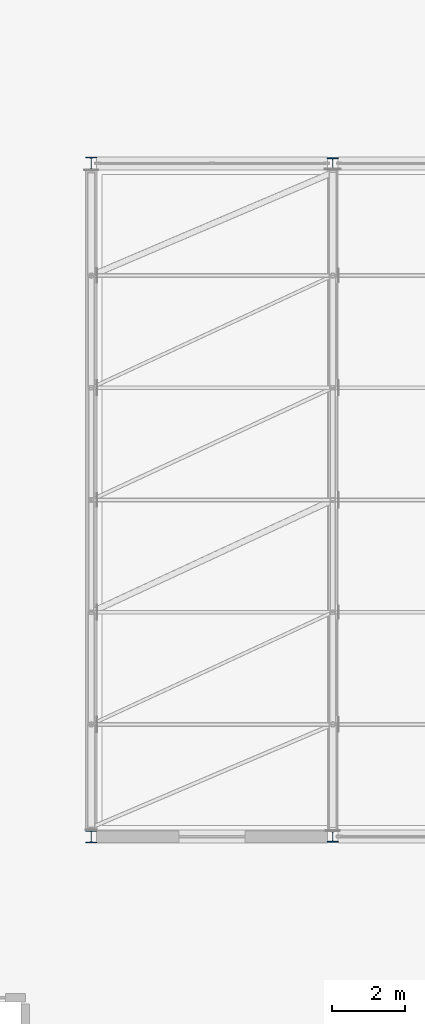
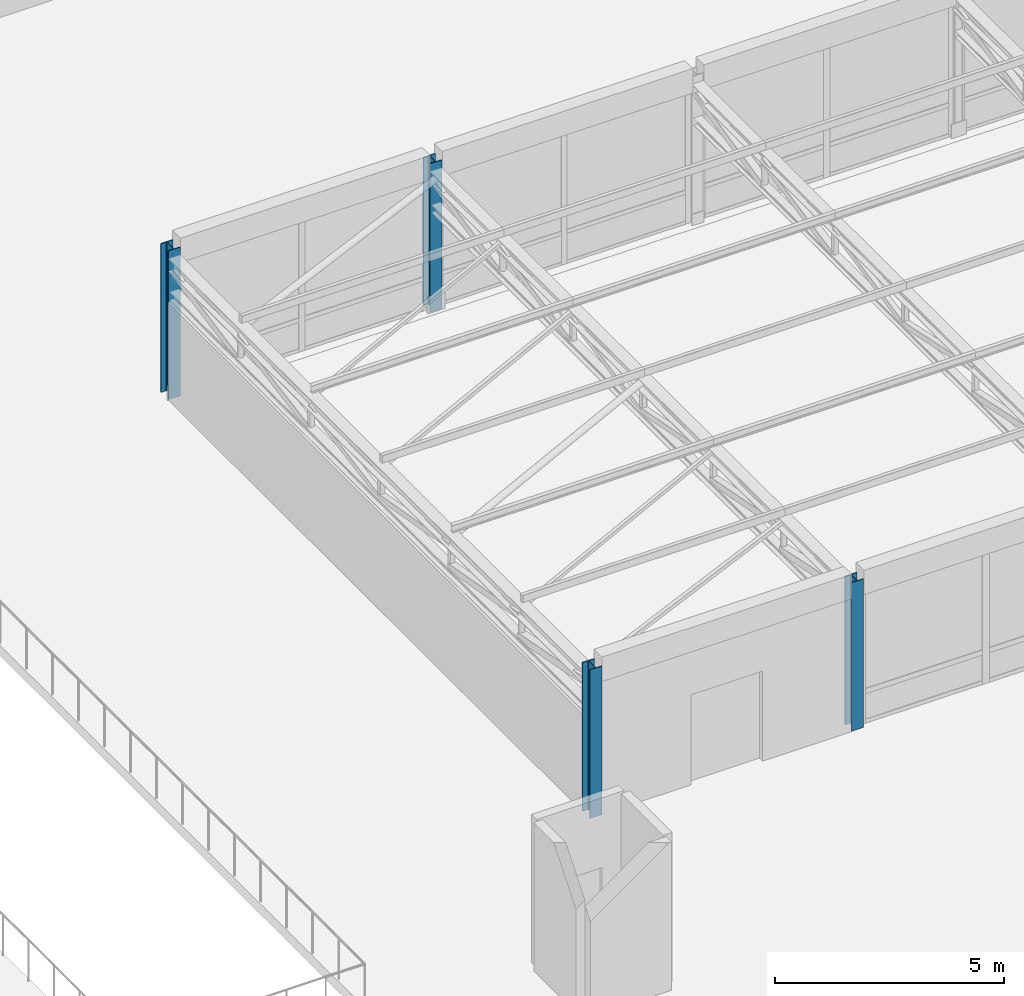
# One storey, part 2 of 92: 4 columns.
"""IFC4 building model written with IfcOpenShell, lengths in metres."""

from ifc_helpers import new_model, si_unit, direction, frame, origin, origin_2d, place, context, subcontext, project, spatial, i_section, extrude, material, material_profile, profile_set, type_object, element, save


model = new_model("IFC4")

# Units and contexts
model_context = context("Model", 3, precision=1e-05, world=origin(), true_north=direction((0.0, 1.0)))
body_context = subcontext(model_context, "Body", "Model", "MODEL_VIEW")
ifc_project = project(units=[si_unit("LENGTHUNIT", "METRE"), si_unit("AREAUNIT", "SQUARE_METRE"), si_unit("VOLUMEUNIT", "CUBIC_METRE"), si_unit("PLANEANGLEUNIT", "RADIAN"), si_unit("MASSUNIT", "GRAM", prefix="KILO")], contexts=[model_context])

# Site, building, storey
site_placement = place(None, origin())
site = spatial("IfcSite", under=ifc_project, at=site_placement, CompositionType="ELEMENT")
building_placement = place(site_placement, origin())
building = spatial("IfcBuilding", under=site, at=building_placement, Name="Kernevlak Ridge Housing Community", CompositionType="ELEMENT")
storey_placement = place(building_placement, frame((0.0, 0.0, 4.199951171875)))
storey = spatial("IfcBuildingStorey", under=building, at=storey_placement, Name="L01", CompositionType="ELEMENT", Elevation=4.199951171875)

# Columns
ifc_material = material(Name="Steel S355", Category="steel")
ifc_material_profile_1 = material_profile(ifc_material, i_section(OverallWidth=0.300048828125, OverallDepth=0.340087890625, WebThickness=0.011962890625, FlangeThickness=0.021484375, FilletRadius=0.027099609375, at=origin_2d()), Name="HEB 340")
ifc_profile_set_1 = profile_set([ifc_material_profile_1], Name="Steel S355")
column_type_1 = type_object("IfcColumnType", Name="SC-01", PredefinedType="COLUMN", material=ifc_profile_set_1)
for number, where, z_axis, x_axis, name in (
    (1, (64.199951171875, 49.800048828125, 0.0), (0.0, 0.0, 1.0), (1.0, 0.0, 0.0), "Column SC-01 COL-HALL-L01-0-0"),
    (2, (64.199951171875, 68.199951171875, 0.0), (0.0, 0.0, 1.0), (1.0, 0.0, 0.0), "Column SC-01 COL-HALL-L01-0-1"),
):
    element("IfcColumn", number, at=place(storey_placement, frame(where, z_axis=z_axis, x_axis=x_axis)), inside=storey, type_object=column_type_1, Name=name, PredefinedType="COLUMN", context=body_context, shape_type="SweptSolid", body=[
        extrude(i_section(OverallWidth=0.300048828125, OverallDepth=0.340087890625, WebThickness=0.011962890625, FlangeThickness=0.021484375, FilletRadius=0.027099609375, at=origin_2d()), origin(), (0.0, 0.0, 1.0), 3.9599609375),
    ])
ifc_material_profile_2 = material_profile(ifc_material, i_section(OverallWidth=0.300048828125, OverallDepth=0.300048828125, WebThickness=0.010986328125, FlangeThickness=0.01904296875, FilletRadius=0.027099609375, at=origin_2d()), Name="HEB 300")
ifc_profile_set_2 = profile_set([ifc_material_profile_2], Name="Steel S355")
column_type_2 = type_object("IfcColumnType", Name="SC-02", PredefinedType="COLUMN", material=ifc_profile_set_2)
for number, where, z_axis, x_axis, name in (
    (3, (70.800048828125, 49.800048828125, 0.0), (0.0, 0.0, 1.0), (1.0, 0.0, 0.0), "Column SC-02 COL-HALL-L01-1-0"),
    (4, (70.800048828125, 68.199951171875, 0.0), (0.0, 0.0, 1.0), (1.0, 0.0, 0.0), "Column SC-02 COL-HALL-L01-1-1"),
):
    element("IfcColumn", number, at=place(storey_placement, frame(where, z_axis=z_axis, x_axis=x_axis)), inside=storey, type_object=column_type_2, Name=name, PredefinedType="COLUMN", context=body_context, shape_type="SweptSolid", body=[
        extrude(i_section(OverallWidth=0.300048828125, OverallDepth=0.300048828125, WebThickness=0.010986328125, FlangeThickness=0.01904296875, FilletRadius=0.027099609375, at=origin_2d()), origin(), (0.0, 0.0, 1.0), 3.9599609375),
    ])

save(model, "model.ifc")
